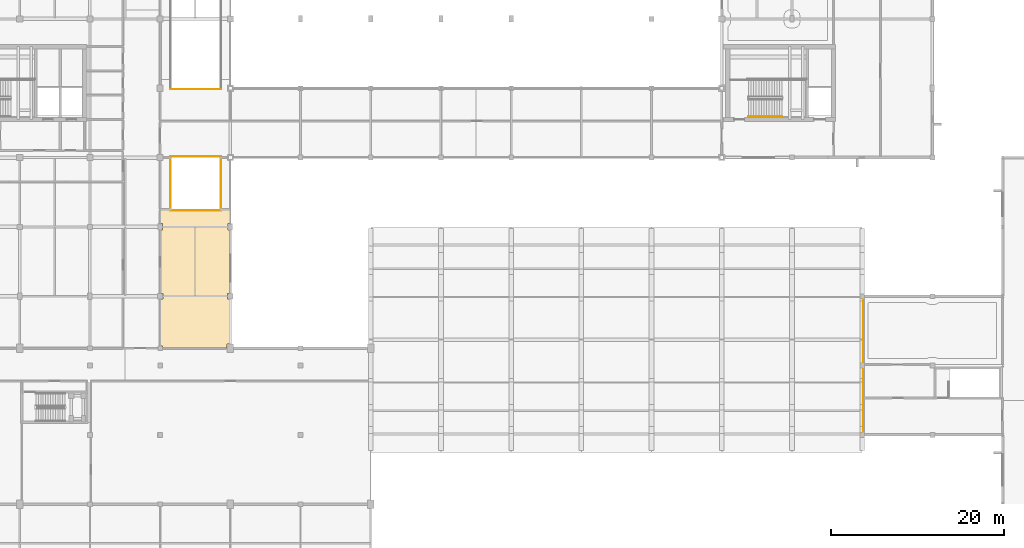
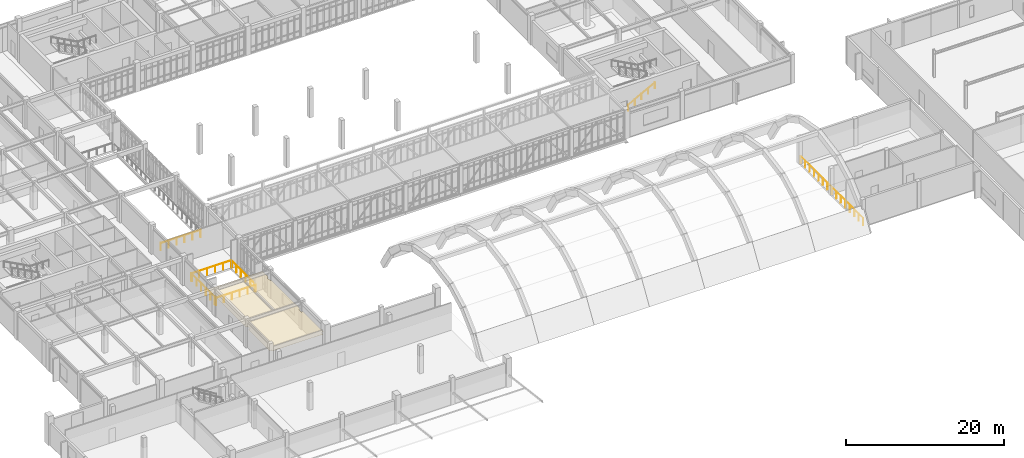
# One storey, part 62 of 67: 7 railings, 1 covering.
"""IFC4 building model written with IfcOpenShell, lengths in metres."""

from ifc_helpers import new_model, si_unit, direction, frame, origin, origin_2d, place, context, subcontext, project, spatial, polyline, circle, outline, extrude, material, layer, layer_set, type_object, element, save


model = new_model("IFC4")

# Units and contexts
model_context = context("Model", 3, precision=1e-05, world=origin(), true_north=direction((0.0, 1.0)))
body_context = subcontext(model_context, "Body", "Model", "MODEL_VIEW")
ifc_project = project(units=[si_unit("LENGTHUNIT", "METRE"), si_unit("AREAUNIT", "SQUARE_METRE"), si_unit("VOLUMEUNIT", "CUBIC_METRE"), si_unit("PLANEANGLEUNIT", "RADIAN"), si_unit("MASSUNIT", "GRAM", prefix="KILO")], contexts=[model_context])

# Site, building, storey
site_placement = place(None, origin())
site = spatial("IfcSite", under=ifc_project, at=site_placement, CompositionType="ELEMENT")
building_placement = place(site_placement, origin())
building = spatial("IfcBuilding", under=site, at=building_placement, Name="Tarnveldt Square Police Headquarters", CompositionType="ELEMENT")
storey_placement = place(building_placement, frame((0.0, 0.0, 10.199951171875)))
storey = spatial("IfcBuildingStorey", under=building, at=storey_placement, Name="L02", CompositionType="ELEMENT", Elevation=10.199951171875)

# Covering
ifc_material_1 = material(Name="Mineral-fibre acoustic ceiling tile", Category="gypsum")
ifc_layer = layer(ifc_material_1, 0.02001953125)
ifc_layer_set = layer_set([ifc_layer], Name="Mineral-fibre acoustic ceiling tile")
covering_type = type_object("IfcCoveringType", Name="COV-CEIL-20", PredefinedType="CEILING", material=ifc_layer_set)
covering_placement = place(storey_placement, frame((0.0, 0.0, 2.75)))
element("IfcCovering", 1, at=covering_placement, inside=storey, type_object=covering_type, Name="Case Disclosure Records Office L02 Acoustic Ceiling", PredefinedType="CEILING", context=body_context, shape_type="SweptSolid", body=[
    extrude(outline(polyline([(48.550048828125, 34.501953125), (48.222900390625, 34.501953125), (48.222900390625, 34.050048828125), (40.777099609375, 34.050048828125), (40.777099609375, 34.277099609375), (40.550048828125, 34.277099609375), (40.550048828125, 39.697998046875), (40.802001953125, 39.697998046875), (40.802001953125, 40.302001953125), (40.550048828125, 40.302001953125), (40.550048828125, 47.623046875), (40.751953125, 47.623046875), (40.751953125, 48.376953125), (40.550048828125, 48.376953125), (40.550048828125, 49.949951171875), (48.550048828125, 49.949951171875), (48.550048828125, 48.376953125), (48.347900390625, 48.376953125), (48.347900390625, 47.623046875), (48.550048828125, 47.623046875), (48.550048828125, 40.302001953125), (48.298095703125, 40.302001953125), (48.298095703125, 39.697998046875), (48.550048828125, 39.697998046875), (48.550048828125, 34.501953125)])), origin(), (0.0, 0.0, 1.0), 0.02001953125),
])

# Railings
ifc_material_2 = material(Name="Steel 350W", Category="steel")
railing_type_1 = type_object("IfcRailingType", Name="RL-GR-1100", PredefinedType="GUARDRAIL", material=ifc_material_2)
railing_1_placement = place(storey_placement, frame((41.679931640625, 49.8798828125, 0.0)))
element("IfcRailing", 2, at=railing_1_placement, inside=storey, type_object=railing_type_1, Name="L02 WG-ATRIUM-2S Atrium Overlook Guardrail S1", PredefinedType="GUARDRAIL", context=body_context, shape_type="SweptSolid", body=[
    extrude(circle(Radius=0.02392578125, at=origin_2d()), frame((0.0, 0.0, 1.076171875), z_axis=(1.0, 0.0, 0.0), x_axis=(0.0, 1.0, 0.0)), (0.0, 0.0, 1.0), 5.840087890625),
    extrude(circle(Radius=0.02099609375, at=origin_2d()), origin(), (0.0, 0.0, 1.0), 1.052001953125),
    extrude(circle(Radius=0.02099609375, at=origin_2d()), frame((1.16796875, 0.0, 0.0)), (0.0, 0.0, 1.0), 1.052001953125),
    extrude(circle(Radius=0.02099609375, at=origin_2d()), frame((2.3359375, 0.0, 0.0)), (0.0, 0.0, 1.0), 1.052001953125),
    extrude(circle(Radius=0.02099609375, at=origin_2d()), frame((3.504150390625, 0.0, 0.0)), (0.0, 0.0, 1.0), 1.052001953125),
    extrude(circle(Radius=0.02099609375, at=origin_2d()), frame((4.672119140625, 0.0, 0.0)), (0.0, 0.0, 1.0), 1.052001953125),
    extrude(circle(Radius=0.02099609375, at=origin_2d()), frame((5.840087890625, 0.0, 0.0)), (0.0, 0.0, 1.0), 1.052001953125),
])
railing_2_placement = place(storey_placement, frame((47.52001953125, 50.090087890625, 0.0)))
element("IfcRailing", 3, at=railing_2_placement, inside=storey, type_object=railing_type_1, Name="L02 WG-ATRIUM-2S Atrium Overlook Guardrail E2", PredefinedType="GUARDRAIL", context=body_context, shape_type="SweptSolid", body=[
    extrude(circle(Radius=0.02392578125, at=origin_2d()), frame((0.0, 0.0, 1.076171875), z_axis=(0.0, 1.0, 0.0), x_axis=(-1.0, 0.0, 0.0)), (0.0, 0.0, 1.0), 5.829833984375),
    extrude(circle(Radius=0.02099609375, at=origin_2d()), origin(), (0.0, 0.0, 1.0), 1.052001953125),
    extrude(circle(Radius=0.02099609375, at=origin_2d()), frame((0.0, 1.166015625, 0.0)), (0.0, 0.0, 1.0), 1.052001953125),
    extrude(circle(Radius=0.02099609375, at=origin_2d()), frame((0.0, 2.33203125, 0.0)), (0.0, 0.0, 1.0), 1.052001953125),
    extrude(circle(Radius=0.02099609375, at=origin_2d()), frame((0.0, 3.497802734375, 0.0)), (0.0, 0.0, 1.0), 1.052001953125),
    extrude(circle(Radius=0.02099609375, at=origin_2d()), frame((0.0, 4.663818359375, 0.0)), (0.0, 0.0, 1.0), 1.052001953125),
    extrude(circle(Radius=0.02099609375, at=origin_2d()), frame((0.0, 5.829833984375, 0.0)), (0.0, 0.0, 1.0), 1.052001953125),
])
railing_3_placement = place(storey_placement, frame((47.52001953125, 56.1201171875, 0.0)))
element("IfcRailing", 4, at=railing_3_placement, inside=storey, type_object=railing_type_1, Name="L02 WG-ATRIUM-2S Atrium Overlook Guardrail N1", PredefinedType="GUARDRAIL", context=body_context, shape_type="SweptSolid", body=[
    extrude(circle(Radius=0.02392578125, at=origin_2d()), frame((0.0, 0.0, 1.076171875), z_axis=(-1.0, 0.0, 0.0), x_axis=(0.0, -1.0, 0.0)), (0.0, 0.0, 1.0), 5.840087890625),
    extrude(circle(Radius=0.02099609375, at=origin_2d()), origin(), (0.0, 0.0, 1.0), 1.052001953125),
    extrude(circle(Radius=0.02099609375, at=origin_2d()), frame((-1.16796875, 0.0, 0.0)), (0.0, 0.0, 1.0), 1.052001953125),
    extrude(circle(Radius=0.02099609375, at=origin_2d()), frame((-2.3359375, 0.0, 0.0)), (0.0, 0.0, 1.0), 1.052001953125),
    extrude(circle(Radius=0.02099609375, at=origin_2d()), frame((-3.504150390625, 0.0, 0.0)), (0.0, 0.0, 1.0), 1.052001953125),
    extrude(circle(Radius=0.02099609375, at=origin_2d()), frame((-4.672119140625, 0.0, 0.0)), (0.0, 0.0, 1.0), 1.052001953125),
    extrude(circle(Radius=0.02099609375, at=origin_2d()), frame((-5.840087890625, 0.0, 0.0)), (0.0, 0.0, 1.0), 1.052001953125),
])
railing_4_placement = place(storey_placement, frame((41.679931640625, 55.919921875, 0.0)))
element("IfcRailing", 5, at=railing_4_placement, inside=storey, type_object=railing_type_1, Name="L02 WG-ATRIUM-2S Atrium Overlook Guardrail W2", PredefinedType="GUARDRAIL", context=body_context, shape_type="SweptSolid", body=[
    extrude(circle(Radius=0.02392578125, at=origin_2d()), frame((0.0, 0.0, 1.076171875), z_axis=(0.0, -1.0, 0.0), x_axis=(1.0, 0.0, 0.0)), (0.0, 0.0, 1.0), 5.829833984375),
    extrude(circle(Radius=0.02099609375, at=origin_2d()), origin(), (0.0, 0.0, 1.0), 1.052001953125),
    extrude(circle(Radius=0.02099609375, at=origin_2d()), frame((0.0, -1.166015625, 0.0)), (0.0, 0.0, 1.0), 1.052001953125),
    extrude(circle(Radius=0.02099609375, at=origin_2d()), frame((0.0, -2.33203125, 0.0)), (0.0, 0.0, 1.0), 1.052001953125),
    extrude(circle(Radius=0.02099609375, at=origin_2d()), frame((0.0, -3.497802734375, 0.0)), (0.0, 0.0, 1.0), 1.052001953125),
    extrude(circle(Radius=0.02099609375, at=origin_2d()), frame((0.0, -4.663818359375, 0.0)), (0.0, 0.0, 1.0), 1.052001953125),
    extrude(circle(Radius=0.02099609375, at=origin_2d()), frame((0.0, -5.829833984375, 0.0)), (0.0, 0.0, 1.0), 1.052001953125),
])
railing_5_placement = place(storey_placement, frame((41.679931640625, 63.8798828125, 0.0)))
element("IfcRailing", 6, at=railing_5_placement, inside=storey, type_object=railing_type_1, Name="L02 WG-ATRIUM-2N Atrium Overlook Guardrail S1", PredefinedType="GUARDRAIL", context=body_context, shape_type="SweptSolid", body=[
    extrude(circle(Radius=0.02392578125, at=origin_2d()), frame((0.0, 0.0, 1.076171875), z_axis=(1.0, 0.0, 0.0), x_axis=(0.0, 1.0, 0.0)), (0.0, 0.0, 1.0), 5.840087890625),
    extrude(circle(Radius=0.02099609375, at=origin_2d()), origin(), (0.0, 0.0, 1.0), 1.052001953125),
    extrude(circle(Radius=0.02099609375, at=origin_2d()), frame((1.16796875, 0.0, 0.0)), (0.0, 0.0, 1.0), 1.052001953125),
    extrude(circle(Radius=0.02099609375, at=origin_2d()), frame((2.3359375, 0.0, 0.0)), (0.0, 0.0, 1.0), 1.052001953125),
    extrude(circle(Radius=0.02099609375, at=origin_2d()), frame((3.504150390625, 0.0, 0.0)), (0.0, 0.0, 1.0), 1.052001953125),
    extrude(circle(Radius=0.02099609375, at=origin_2d()), frame((4.672119140625, 0.0, 0.0)), (0.0, 0.0, 1.0), 1.052001953125),
    extrude(circle(Radius=0.02099609375, at=origin_2d()), frame((5.840087890625, 0.0, 0.0)), (0.0, 0.0, 1.0), 1.052001953125),
])
railing_6_placement = place(storey_placement, frame((121.6201171875, 24.080078125, 0.0)))
element("IfcRailing", 7, at=railing_6_placement, inside=storey, type_object=railing_type_1, Name="L02 East Hall Link West Overlook Guardrail", PredefinedType="GUARDRAIL", context=body_context, shape_type="SweptSolid", body=[
    extrude(circle(Radius=0.02392578125, at=origin_2d()), frame((0.0, 0.0, 1.076171875), z_axis=(0.0, 1.0, 0.0), x_axis=(-1.0, 0.0, 0.0)), (0.0, 0.0, 1.0), 15.83984375),
    extrude(circle(Radius=0.02099609375, at=origin_2d()), origin(), (0.0, 0.0, 1.0), 1.052001953125),
    extrude(circle(Radius=0.02099609375, at=origin_2d()), frame((0.0, 1.13134765625, 0.0)), (0.0, 0.0, 1.0), 1.052001953125),
    extrude(circle(Radius=0.02099609375, at=origin_2d()), frame((0.0, 2.262939453125, 0.0)), (0.0, 0.0, 1.0), 1.052001953125),
    extrude(circle(Radius=0.02099609375, at=origin_2d()), frame((0.0, 3.394287109375, 0.0)), (0.0, 0.0, 1.0), 1.052001953125),
    extrude(circle(Radius=0.02099609375, at=origin_2d()), frame((0.0, 4.525634765625, 0.0)), (0.0, 0.0, 1.0), 1.052001953125),
    extrude(circle(Radius=0.02099609375, at=origin_2d()), frame((0.0, 5.656982421875, 0.0)), (0.0, 0.0, 1.0), 1.052001953125),
    extrude(circle(Radius=0.02099609375, at=origin_2d()), frame((0.0, 6.78857421875, 0.0)), (0.0, 0.0, 1.0), 1.052001953125),
    extrude(circle(Radius=0.02099609375, at=origin_2d()), frame((0.0, 7.919921875, 0.0)), (0.0, 0.0, 1.0), 1.052001953125),
    extrude(circle(Radius=0.02099609375, at=origin_2d()), frame((0.0, 9.05126953125, 0.0)), (0.0, 0.0, 1.0), 1.052001953125),
    extrude(circle(Radius=0.02099609375, at=origin_2d()), frame((0.0, 10.182861328125, 0.0)), (0.0, 0.0, 1.0), 1.052001953125),
    extrude(circle(Radius=0.02099609375, at=origin_2d()), frame((0.0, 11.314208984375, 0.0)), (0.0, 0.0, 1.0), 1.052001953125),
    extrude(circle(Radius=0.02099609375, at=origin_2d()), frame((0.0, 12.445556640625, 0.0)), (0.0, 0.0, 1.0), 1.052001953125),
    extrude(circle(Radius=0.02099609375, at=origin_2d()), frame((0.0, 13.576904296875, 0.0)), (0.0, 0.0, 1.0), 1.052001953125),
    extrude(circle(Radius=0.02099609375, at=origin_2d()), frame((0.0, 14.70849609375, 0.0)), (0.0, 0.0, 1.0), 1.052001953125),
    extrude(circle(Radius=0.02099609375, at=origin_2d()), frame((0.0, 15.83984375, 0.0)), (0.0, 0.0, 1.0), 1.052001953125),
])
railing_type_2 = type_object("IfcRailingType", Name="RL-HR-900", PredefinedType="HANDRAIL", material=ifc_material_2)
railing_7_placement = place(storey_placement, frame((108.3701171875, 60.77001953125, 0.16064453125)))
element("IfcRailing", 8, at=railing_7_placement, inside=storey, type_object=railing_type_2, Name="L02 ST4 stair handrail 1", PredefinedType="HANDRAIL", context=body_context, shape_type="SweptSolid", body=[
    extrude(circle(Radius=0.02392578125, at=origin_2d()), frame((0.0, 0.0, 0.8759765625), z_axis=(0.881468485026, 0.0, 0.472242850561), x_axis=(0.0, 1.0, 0.0)), (0.0, 0.0, 1.0), 4.42431640625),
    extrude(circle(Radius=0.02099609375, at=origin_2d()), origin(), (0.0, 0.0, 1.0), 0.851806640625),
    extrude(circle(Radius=0.02099609375, at=origin_2d()), frame((0.97509765625, 0.0, 0.5224609375)), (0.0, 0.0, 1.0), 0.851806640625),
    extrude(circle(Radius=0.02099609375, at=origin_2d()), frame((1.949951171875, 0.0, 1.044677734375)), (0.0, 0.0, 1.0), 0.851806640625),
    extrude(circle(Radius=0.02099609375, at=origin_2d()), frame((2.9248046875, 0.0, 1.56689453125)), (0.0, 0.0, 1.0), 0.851806640625),
    extrude(circle(Radius=0.02099609375, at=origin_2d()), frame((3.89990234375, 0.0, 2.08935546875)), (0.0, 0.0, 1.0), 0.851806640625),
])

save(model, "model.ifc")
